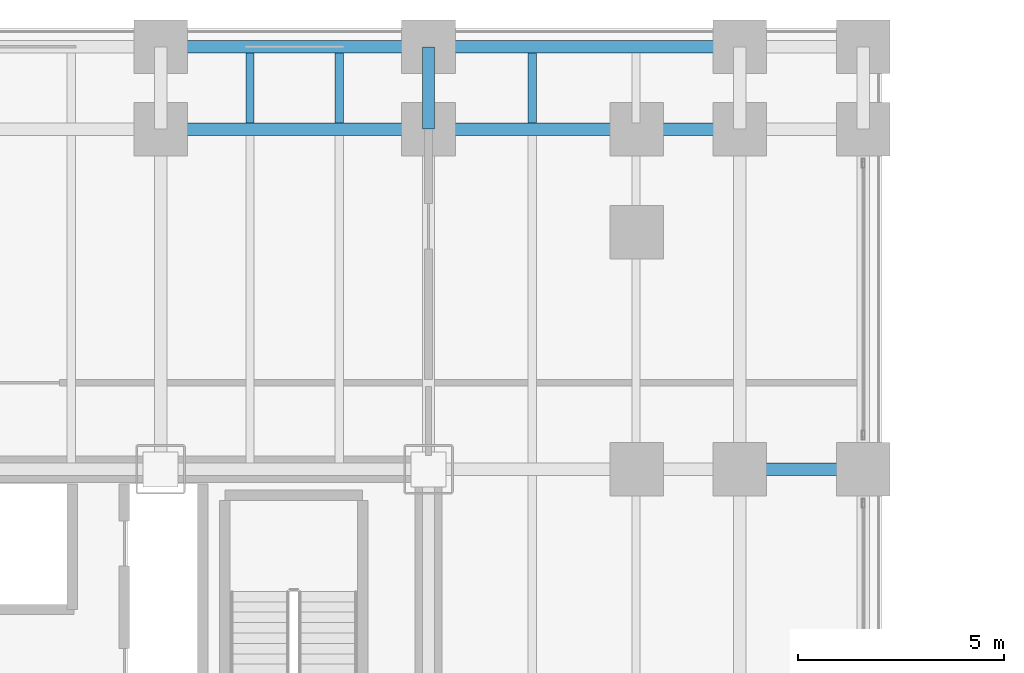
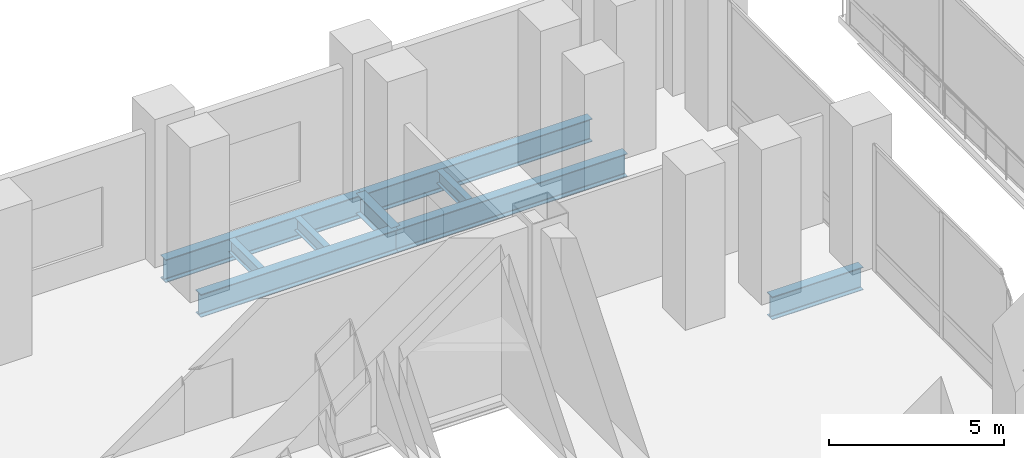
# One storey, part 18 of 30: 9 beams.
"""IFC4 building model written with IfcOpenShell, lengths in metres."""

from ifc_helpers import new_model, si_unit, direction, frame, origin, origin_2d, place, context, subcontext, project, spatial, i_section, extrude, material, material_profile, profile_set, type_object, element, save


model = new_model("IFC4")

# Units and contexts
model_context = context("Model", 3, precision=1e-05, world=origin(), true_north=direction((0.0, 1.0)))
body_context = subcontext(model_context, "Body", "Model", "MODEL_VIEW")
ifc_project = project(units=[si_unit("LENGTHUNIT", "METRE"), si_unit("AREAUNIT", "SQUARE_METRE"), si_unit("VOLUMEUNIT", "CUBIC_METRE"), si_unit("PLANEANGLEUNIT", "RADIAN"), si_unit("MASSUNIT", "GRAM", prefix="KILO")], contexts=[model_context])

# Site, building, storey
site_placement = place(None, origin())
site = spatial("IfcSite", under=ifc_project, at=site_placement, CompositionType="ELEMENT")
building_placement = place(site_placement, origin())
building = spatial("IfcBuilding", under=site, at=building_placement, Name="Noeulbin Bourse Tower", CompositionType="ELEMENT")
storey_placement = place(building_placement, frame((0.0, 0.0, 16.60009765625)))
storey = spatial("IfcBuildingStorey", under=building, at=storey_placement, Name="L04", CompositionType="ELEMENT", Elevation=16.60009765625)

# Beams
ifc_material = material(Name="Steel S355", Category="steel")
ifc_material_profile_1 = material_profile(ifc_material, i_section(OverallWidth=0.300048828125, OverallDepth=0.699951171875, WebThickness=0.012939453125, FlangeThickness=0.02392578125, FilletRadius=0.02392578125, at=origin_2d()), Name="H-700x300x13x24", Category="LoadBearing")
ifc_profile_set_1 = profile_set([ifc_material_profile_1], Name="Steel S355")
beam_type_1 = type_object("IfcBeamType", Name="BM-GRD-700", PredefinedType="USERDEFINED", material=ifc_profile_set_1)
beam_1_placement = place(storey_placement, frame((44.0, 46.550048828125, -0.60009765625), z_axis=(0.0, 1.0, 0.0), x_axis=(-1.0, 0.0, 0.0)))
element("IfcBeam", 1, at=beam_1_placement, inside=storey, type_object=beam_type_1, Name="Podium Primary Girder NS L04-095", ObjectType="GIRDER", PredefinedType="USERDEFINED", context=body_context, shape_type="SweptSolid", body=[
    extrude(i_section(OverallWidth=0.300048828125, OverallDepth=0.699951171875, WebThickness=0.012939453125, FlangeThickness=0.02392578125, FilletRadius=0.02392578125, at=origin_2d()), origin(), (0.0, 0.0, 1.0), 2.0),
])
ifc_material_profile_2 = material_profile(ifc_material, i_section(OverallWidth=0.300048828125, OverallDepth=0.800048828125, WebThickness=0.013916015625, FlangeThickness=0.02587890625, FilletRadius=0.02587890625, at=origin_2d()), Name="H-800x300x14x26", Category="LoadBearing")
ifc_profile_set_2 = profile_set([ifc_material_profile_2], Name="Steel S355")
beam_type_2 = type_object("IfcBeamType", Name="BM-GRD-800", PredefinedType="USERDEFINED", material=ifc_profile_set_2)
beam_2_placement = place(storey_placement, frame((51.550048828125, 38.300048828125, -0.650146484375), z_axis=(1.0, 0.0, 0.0), x_axis=(0.0, 1.0, 0.0)))
element("IfcBeam", 2, at=beam_2_placement, inside=storey, type_object=beam_type_2, Name="Podium Primary Girder EW L04-040", ObjectType="GIRDER", PredefinedType="USERDEFINED", context=body_context, shape_type="SweptSolid", body=[
    extrude(i_section(OverallWidth=0.300048828125, OverallDepth=0.800048828125, WebThickness=0.013916015625, FlangeThickness=0.02587890625, FilletRadius=0.02587890625, at=origin_2d()), origin(), (0.0, 0.0, 1.0), 3.0),
])
beam_3_placement = place(storey_placement, frame((37.5, 46.550048828125, -0.650146484375), z_axis=(1.0, 0.0, 0.0), x_axis=(0.0, 1.0, 0.0)))
element("IfcBeam", 3, at=beam_3_placement, inside=storey, type_object=beam_type_2, Name="Podium Primary Girder EW L04-046", ObjectType="GIRDER", PredefinedType="USERDEFINED", context=body_context, shape_type="SweptSolid", body=[
    extrude(i_section(OverallWidth=0.300048828125, OverallDepth=0.800048828125, WebThickness=0.013916015625, FlangeThickness=0.02587890625, FilletRadius=0.02587890625, at=origin_2d()), origin(), (0.0, 0.0, 1.0), 6.5),
])
beam_4_placement = place(storey_placement, frame((44.0, 46.550048828125, -0.650146484375), z_axis=(1.0, 0.0, 0.0), x_axis=(0.0, 1.0, 0.0)))
element("IfcBeam", 4, at=beam_4_placement, inside=storey, type_object=beam_type_2, Name="Podium Primary Girder EW L04-047", ObjectType="GIRDER", PredefinedType="USERDEFINED", context=body_context, shape_type="SweptSolid", body=[
    extrude(i_section(OverallWidth=0.300048828125, OverallDepth=0.800048828125, WebThickness=0.013916015625, FlangeThickness=0.02587890625, FilletRadius=0.02587890625, at=origin_2d()), origin(), (0.0, 0.0, 1.0), 7.550048828125),
])
beam_5_placement = place(storey_placement, frame((37.5, 48.550048828125, -0.650146484375), z_axis=(1.0, 0.0, 0.0), x_axis=(0.0, 1.0, 0.0)))
element("IfcBeam", 5, at=beam_5_placement, inside=storey, type_object=beam_type_2, Name="Podium Primary Girder EW L04-054", ObjectType="GIRDER", PredefinedType="USERDEFINED", context=body_context, shape_type="SweptSolid", body=[
    extrude(i_section(OverallWidth=0.300048828125, OverallDepth=0.800048828125, WebThickness=0.013916015625, FlangeThickness=0.02587890625, FilletRadius=0.02587890625, at=origin_2d()), origin(), (0.0, 0.0, 1.0), 6.5),
])
beam_6_placement = place(storey_placement, frame((44.0, 48.550048828125, -0.650146484375), z_axis=(1.0, 0.0, 0.0), x_axis=(0.0, 1.0, 0.0)))
element("IfcBeam", 6, at=beam_6_placement, inside=storey, type_object=beam_type_2, Name="Podium Primary Girder EW L04-055", ObjectType="GIRDER", PredefinedType="USERDEFINED", context=body_context, shape_type="SweptSolid", body=[
    extrude(i_section(OverallWidth=0.300048828125, OverallDepth=0.800048828125, WebThickness=0.013916015625, FlangeThickness=0.02587890625, FilletRadius=0.02587890625, at=origin_2d()), origin(), (0.0, 0.0, 1.0), 7.550048828125),
])
ifc_material_profile_3 = material_profile(ifc_material, i_section(OverallWidth=0.199951171875, OverallDepth=0.449951171875, WebThickness=0.009033203125, FlangeThickness=0.013916015625, FilletRadius=0.01806640625, at=origin_2d()), Name="H-450x200x9x14", Category="LoadBearing")
ifc_profile_set_3 = profile_set([ifc_material_profile_3], Name="Steel S355")
beam_type_3 = type_object("IfcBeamType", Name="BM-SEC-450", PredefinedType="BEAM", material=ifc_profile_set_3)
for number, where, z_axis, x_axis, name in (
    (7, (39.666748046875, 46.699951171875, -0.47509765625), (0.0, 1.0, 0.0), (-1.0, 0.0, 0.0), "Podium Secondary Beam L04-067"),
    (8, (41.833251953125, 46.699951171875, -0.47509765625), (0.0, 1.0, 0.0), (-1.0, 0.0, 0.0), "Podium Secondary Beam L04-072"),
    (9, (46.5166015625, 46.699951171875, -0.47509765625), (0.0, 1.0, 0.0), (-1.0, 0.0, 0.0), "Podium Secondary Beam L04-078"),
):
    element("IfcBeam", number, at=place(storey_placement, frame(where, z_axis=z_axis, x_axis=x_axis)), inside=storey, type_object=beam_type_3, Name=name, PredefinedType="BEAM", context=body_context, shape_type="SweptSolid", body=[
        extrude(i_section(OverallWidth=0.199951171875, OverallDepth=0.449951171875, WebThickness=0.009033203125, FlangeThickness=0.013916015625, FilletRadius=0.01806640625, at=origin_2d()), origin(), (0.0, 0.0, 1.0), 1.699951171875),
    ])

save(model, "model.ifc")
